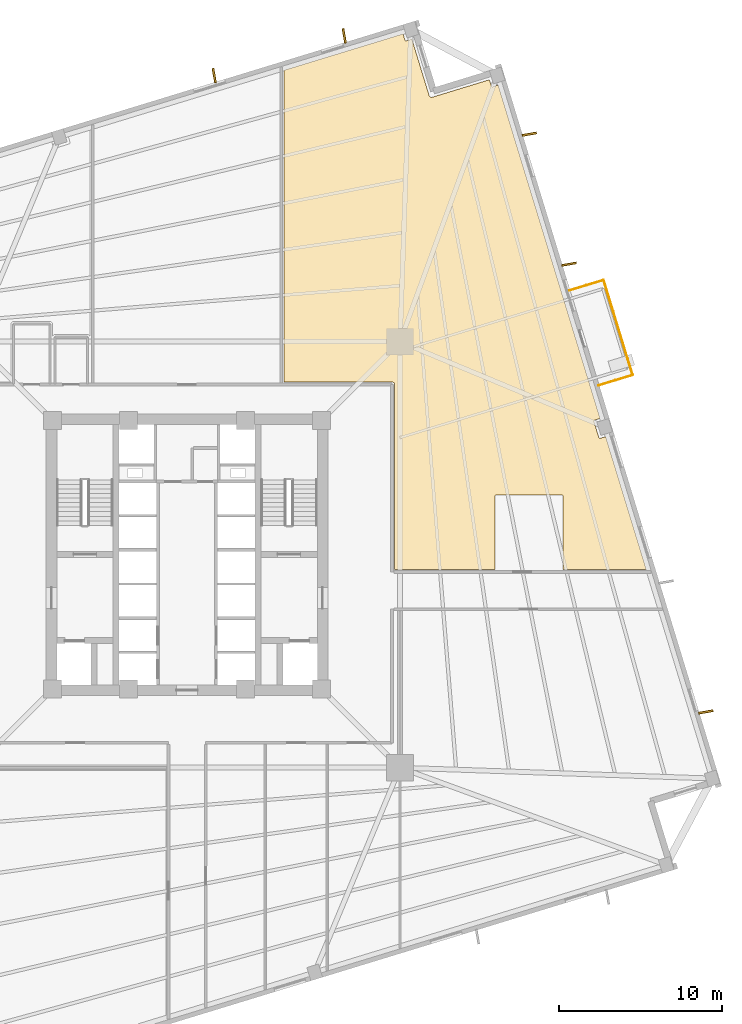
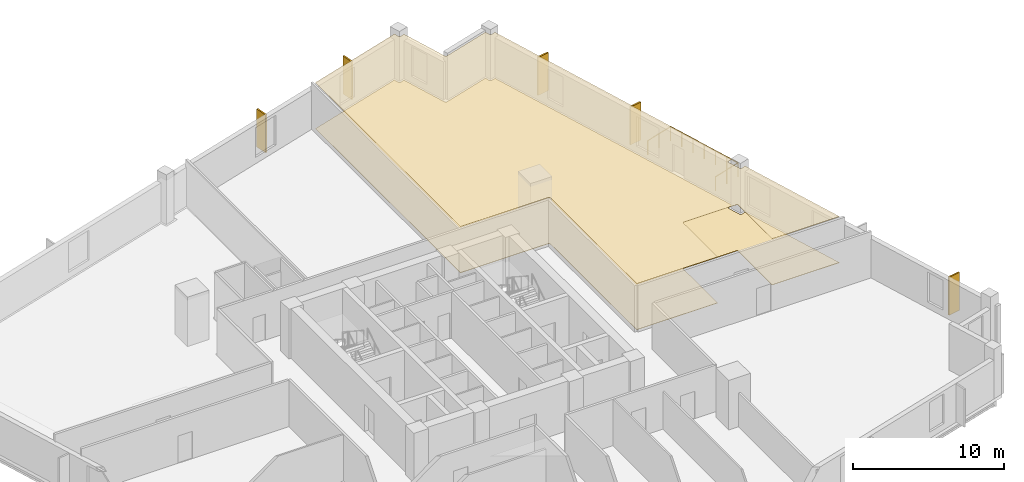
# One storey, part 9 of 9: 7 coverings, 3 railings.
"""IFC4 building model written with IfcOpenShell, lengths in metres."""

from ifc_helpers import new_model, si_unit, direction, frame, origin, origin_2d, place, context, subcontext, project, spatial, polyline, rectangle, circle, outline, extrude, source, transform, mapped, material, layer, layer_set, type_object, element, save


model = new_model("IFC4")

# Units and contexts
model_context = context("Model", 3, precision=1e-05, world=origin(), true_north=direction((0.0, 1.0)))
body_context = subcontext(model_context, "Body", "Model", "MODEL_VIEW")
ifc_project = project(units=[si_unit("LENGTHUNIT", "METRE"), si_unit("AREAUNIT", "SQUARE_METRE"), si_unit("VOLUMEUNIT", "CUBIC_METRE"), si_unit("PLANEANGLEUNIT", "RADIAN"), si_unit("MASSUNIT", "GRAM", prefix="KILO"), si_unit("THERMODYNAMICTEMPERATUREUNIT", "KELVIN")], contexts=[model_context])

# Site, building, storey
site_placement = place(None, origin())
site = spatial("IfcSite", under=ifc_project, at=site_placement, CompositionType="ELEMENT")
building_placement = place(site_placement, origin())
building = spatial("IfcBuilding", under=site, at=building_placement, Name="Kosmvard Interchange Tower", CompositionType="ELEMENT")
storey_placement = place(building_placement, frame((0.0, 0.0, 107.199951171875)))
storey = spatial("IfcBuildingStorey", under=building, at=storey_placement, Name="L25", CompositionType="ELEMENT", Elevation=107.199951171875)

# Coverings
ifc_material_1 = material(Name="Acoustic gypsum ceiling tile")
ifc_layer_1 = layer(ifc_material_1, 0.02490234375, Name="Acoustic gypsum ceiling tile")
ifc_layer_set_1 = layer_set([ifc_layer_1], Name="Acoustic gypsum ceiling tile")
covering_type_1 = type_object("IfcCoveringType", Name="Acoustic Perforated Suspended Ceiling 25", PredefinedType="CEILING", material=ifc_layer_set_1)
covering_1_placement = place(storey_placement, frame((0.0, 0.0, 3.715087890625)))
element("IfcCovering", 1, at=covering_1_placement, inside=storey, type_object=covering_type_1, Name="L25 Acoustic Ceiling L25-LNG2", PredefinedType="CEILING", context=body_context, shape_type="SweptSolid", body=[
    extrude(outline(polyline([(14.99951171875, 28.09130859375), (14.9921875, 28.09228515625), (14.984375, 28.09375), (14.977294921875, 28.095703125), (14.9697265625, 28.097900390625), (14.962646484375, 28.100341796875), (14.95556640625, 28.103271484375), (14.948974609375, 28.1064453125), (14.942138671875, 28.110107421875), (14.935791015625, 28.11376953125), (14.92919921875, 28.1181640625), (14.923095703125, 28.12255859375), (14.9169921875, 28.127685546875), (14.91162109375, 28.132568359375), (14.906005859375, 28.137939453125), (14.901123046875, 28.1435546875), (14.89599609375, 28.149658203125), (14.8916015625, 28.155517578125), (14.887451171875, 28.161865234375), (14.883544921875, 28.168212890625), (14.8798828125, 28.17529296875), (14.876708984375, 28.181884765625), (14.873779296875, 28.18896484375), (14.87109375, 28.196044921875), (14.869873046875, 28.19970703125), (13.8115234375, 31.66162109375), (13.481689453125, 31.560791015625), (13.47412109375, 31.558837890625), (13.46630859375, 31.5576171875), (13.45849609375, 31.55712890625), (13.45068359375, 31.5576171875), (13.44287109375, 31.55859375), (13.43505859375, 31.560546875), (13.427734375, 31.563232421875), (13.420654296875, 31.566650390625), (13.413818359375, 31.570556640625), (13.40771484375, 31.5751953125), (13.40185546875, 31.58056640625), (13.396484375, 31.58642578125), (13.391845703125, 31.592529296875), (13.3876953125, 31.599365234375), (13.38427734375, 31.6064453125), (13.3818359375, 31.61376953125), (13.266357421875, 31.991455078125), (5.9599609375, 29.7578125), (5.9599609375, 10.60498046875), (12.60009765625, 10.60498046875), (12.60400390625, 10.60498046875), (12.611328125, 10.6044921875), (12.619140625, 10.603759765625), (12.62646484375, 10.602783203125), (12.634033203125, 10.60107421875), (12.64111328125, 10.599365234375), (12.648681640625, 10.59716796875), (12.65576171875, 10.5947265625), (12.662841796875, 10.591552734375), (12.669677734375, 10.58837890625), (12.676513671875, 10.584716796875), (12.6826171875, 10.5810546875), (12.689208984375, 10.57666015625), (12.6953125, 10.572265625), (12.701416015625, 10.567138671875), (12.706787109375, 10.562255859375), (12.712158203125, 10.556884765625), (12.71728515625, 10.55126953125), (12.72216796875, 10.545166015625), (12.7265625, 10.539306640625), (12.73095703125, 10.53271484375), (12.73486328125, 10.5263671875), (12.738525390625, 10.51953125), (12.74169921875, 10.512939453125), (12.74462890625, 10.505615234375), (12.7470703125, 10.498779296875), (12.749267578125, 10.4912109375), (12.751220703125, 10.484130859375), (12.752685546875, 10.476318359375), (12.753662109375, 10.468994140625), (12.754638671875, 10.461181640625), (12.7548828125, 10.453857421875), (12.7548828125, 10.449951171875), (12.7548828125, -0.89501953125), (18.919921875, -0.89501953125), (18.919921875, 3.60009765625), (18.92041015625, 3.60791015625), (18.921630859375, 3.61572265625), (18.92333984375, 3.623291015625), (18.926025390625, 3.630615234375), (18.929443359375, 3.6376953125), (18.93359375, 3.64453125), (18.938232421875, 3.650634765625), (18.943359375, 3.656494140625), (18.94921875, 3.661865234375), (18.95556640625, 3.66650390625), (18.96240234375, 3.670654296875), (18.969482421875, 3.673828125), (18.976806640625, 3.676513671875), (18.984375, 3.678466796875), (18.9921875, 3.6796875), (19.0, 3.679931640625), (23.0, 3.679931640625), (23.0078125, 3.6796875), (23.015625, 3.678466796875), (23.023193359375, 3.676513671875), (23.030517578125, 3.673828125), (23.03759765625, 3.670654296875), (23.04443359375, 3.66650390625), (23.05078125, 3.661865234375), (23.056640625, 3.656494140625), (23.061767578125, 3.650634765625), (23.06640625, 3.64453125), (23.070556640625, 3.6376953125), (23.073974609375, 3.630615234375), (23.07666015625, 3.623291015625), (23.078369140625, 3.61572265625), (23.07958984375, 3.60791015625), (23.080078125, 3.60009765625), (23.080078125, -0.89501953125), (28.209228515625, -0.89501953125), (25.71875, 7.251220703125), (25.388671875, 7.150390625), (25.381103515625, 7.1484375), (25.37353515625, 7.147216796875), (25.365478515625, 7.14697265625), (25.357666015625, 7.147216796875), (25.349853515625, 7.1484375), (25.34228515625, 7.150390625), (25.3349609375, 7.15283203125), (25.327880859375, 7.15625), (25.321044921875, 7.160400390625), (25.314697265625, 7.1650390625), (25.30908203125, 7.170166015625), (25.3037109375, 7.176025390625), (25.299072265625, 7.182373046875), (25.294921875, 7.18896484375), (25.29150390625, 7.196044921875), (25.288818359375, 7.20361328125), (24.99365234375, 8.16943359375), (24.99169921875, 8.177001953125), (24.990478515625, 8.184814453125), (24.989990234375, 8.192626953125), (24.990478515625, 8.200439453125), (24.99169921875, 8.208251953125), (24.993408203125, 8.2158203125), (24.99609375, 8.22314453125), (24.99951171875, 8.230224609375), (25.00341796875, 8.237060546875), (25.008056640625, 8.243408203125), (25.013427734375, 8.249267578125), (25.019287109375, 8.25439453125), (25.025634765625, 8.25927734375), (25.0322265625, 8.26318359375), (25.039306640625, 8.2666015625), (25.046630859375, 8.269287109375), (25.376708984375, 8.3701171875), (19.118408203125, 28.83984375), (18.78857421875, 28.739013671875), (18.781005859375, 28.737060546875), (18.773193359375, 28.73583984375), (18.765380859375, 28.735595703125), (18.757568359375, 28.73583984375), (18.749755859375, 28.737060546875), (18.741943359375, 28.73876953125), (18.734619140625, 28.741455078125), (18.7275390625, 28.744873046875), (18.720703125, 28.748779296875), (18.714599609375, 28.75341796875), (18.708740234375, 28.7587890625), (18.703369140625, 28.7646484375), (18.69873046875, 28.77099609375), (18.694580078125, 28.777587890625), (18.691162109375, 28.78466796875), (18.688720703125, 28.7919921875), (18.572998046875, 29.169921875), (15.0634765625, 28.096923828125), (15.0595703125, 28.095703125), (15.052490234375, 28.093994140625), (15.044921875, 28.092529296875), (15.03759765625, 28.09130859375), (15.02978515625, 28.090576171875), (15.0224609375, 28.090087890625), (15.014404296875, 28.090087890625), (15.007080078125, 28.090576171875), (14.99951171875, 28.09130859375)])), origin(), (0.0, 0.0, 1.0), 0.02490234375),
])
ifc_material_2 = material(Name="Polished terrazzo flooring")
ifc_layer_2 = layer(ifc_material_2, 0.030029296875, Name="Polished terrazzo flooring")
ifc_layer_set_2 = layer_set([ifc_layer_2], Name="Polished terrazzo flooring")
covering_type_2 = type_object("IfcCoveringType", Name="Heavy-Duty Terrazzo & Porcelain Flooring 30", PredefinedType="FLOORING", material=ifc_layer_set_2)
covering_2_placement = place(storey_placement, origin())
element("IfcCovering", 2, at=covering_2_placement, inside=storey, type_object=covering_type_2, Name="L25 Floor Finish L25-LNG2", PredefinedType="FLOORING", context=body_context, shape_type="SweptSolid", body=[
    extrude(outline(polyline([(14.99951171875, 28.09130859375), (14.9921875, 28.09228515625), (14.984375, 28.09375), (14.977294921875, 28.095703125), (14.9697265625, 28.097900390625), (14.962646484375, 28.100341796875), (14.95556640625, 28.103271484375), (14.948974609375, 28.1064453125), (14.942138671875, 28.110107421875), (14.935791015625, 28.11376953125), (14.92919921875, 28.1181640625), (14.923095703125, 28.12255859375), (14.9169921875, 28.127685546875), (14.91162109375, 28.132568359375), (14.906005859375, 28.137939453125), (14.901123046875, 28.1435546875), (14.89599609375, 28.149658203125), (14.8916015625, 28.155517578125), (14.887451171875, 28.161865234375), (14.883544921875, 28.168212890625), (14.8798828125, 28.17529296875), (14.876708984375, 28.181884765625), (14.873779296875, 28.18896484375), (14.87109375, 28.196044921875), (14.869873046875, 28.19970703125), (13.8115234375, 31.66162109375), (13.481689453125, 31.560791015625), (13.47412109375, 31.558837890625), (13.46630859375, 31.5576171875), (13.45849609375, 31.55712890625), (13.45068359375, 31.5576171875), (13.44287109375, 31.55859375), (13.43505859375, 31.560546875), (13.427734375, 31.563232421875), (13.420654296875, 31.566650390625), (13.413818359375, 31.570556640625), (13.40771484375, 31.5751953125), (13.40185546875, 31.58056640625), (13.396484375, 31.58642578125), (13.391845703125, 31.592529296875), (13.3876953125, 31.599365234375), (13.38427734375, 31.6064453125), (13.3818359375, 31.61376953125), (13.266357421875, 31.991455078125), (5.9599609375, 29.7578125), (5.9599609375, 10.60498046875), (12.60009765625, 10.60498046875), (12.60400390625, 10.60498046875), (12.611328125, 10.6044921875), (12.619140625, 10.603759765625), (12.62646484375, 10.602783203125), (12.634033203125, 10.60107421875), (12.64111328125, 10.599365234375), (12.648681640625, 10.59716796875), (12.65576171875, 10.5947265625), (12.662841796875, 10.591552734375), (12.669677734375, 10.58837890625), (12.676513671875, 10.584716796875), (12.6826171875, 10.5810546875), (12.689208984375, 10.57666015625), (12.6953125, 10.572265625), (12.701416015625, 10.567138671875), (12.706787109375, 10.562255859375), (12.712158203125, 10.556884765625), (12.71728515625, 10.55126953125), (12.72216796875, 10.545166015625), (12.7265625, 10.539306640625), (12.73095703125, 10.53271484375), (12.73486328125, 10.5263671875), (12.738525390625, 10.51953125), (12.74169921875, 10.512939453125), (12.74462890625, 10.505615234375), (12.7470703125, 10.498779296875), (12.749267578125, 10.4912109375), (12.751220703125, 10.484130859375), (12.752685546875, 10.476318359375), (12.753662109375, 10.468994140625), (12.754638671875, 10.461181640625), (12.7548828125, 10.453857421875), (12.7548828125, 10.449951171875), (12.7548828125, -0.89501953125), (18.919921875, -0.89501953125), (18.919921875, 3.60009765625), (18.92041015625, 3.60791015625), (18.921630859375, 3.61572265625), (18.92333984375, 3.623291015625), (18.926025390625, 3.630615234375), (18.929443359375, 3.6376953125), (18.93359375, 3.64453125), (18.938232421875, 3.650634765625), (18.943359375, 3.656494140625), (18.94921875, 3.661865234375), (18.95556640625, 3.66650390625), (18.96240234375, 3.670654296875), (18.969482421875, 3.673828125), (18.976806640625, 3.676513671875), (18.984375, 3.678466796875), (18.9921875, 3.6796875), (19.0, 3.679931640625), (23.0, 3.679931640625), (23.0078125, 3.6796875), (23.015625, 3.678466796875), (23.023193359375, 3.676513671875), (23.030517578125, 3.673828125), (23.03759765625, 3.670654296875), (23.04443359375, 3.66650390625), (23.05078125, 3.661865234375), (23.056640625, 3.656494140625), (23.061767578125, 3.650634765625), (23.06640625, 3.64453125), (23.070556640625, 3.6376953125), (23.073974609375, 3.630615234375), (23.07666015625, 3.623291015625), (23.078369140625, 3.61572265625), (23.07958984375, 3.60791015625), (23.080078125, 3.60009765625), (23.080078125, -0.89501953125), (28.209228515625, -0.89501953125), (25.71875, 7.251220703125), (25.388671875, 7.150390625), (25.381103515625, 7.1484375), (25.37353515625, 7.147216796875), (25.365478515625, 7.14697265625), (25.357666015625, 7.147216796875), (25.349853515625, 7.1484375), (25.34228515625, 7.150390625), (25.3349609375, 7.15283203125), (25.327880859375, 7.15625), (25.321044921875, 7.160400390625), (25.314697265625, 7.1650390625), (25.30908203125, 7.170166015625), (25.3037109375, 7.176025390625), (25.299072265625, 7.182373046875), (25.294921875, 7.18896484375), (25.29150390625, 7.196044921875), (25.288818359375, 7.20361328125), (24.99365234375, 8.16943359375), (24.99169921875, 8.177001953125), (24.990478515625, 8.184814453125), (24.989990234375, 8.192626953125), (24.990478515625, 8.200439453125), (24.99169921875, 8.208251953125), (24.993408203125, 8.2158203125), (24.99609375, 8.22314453125), (24.99951171875, 8.230224609375), (25.00341796875, 8.237060546875), (25.008056640625, 8.243408203125), (25.013427734375, 8.249267578125), (25.019287109375, 8.25439453125), (25.025634765625, 8.25927734375), (25.0322265625, 8.26318359375), (25.039306640625, 8.2666015625), (25.046630859375, 8.269287109375), (25.376708984375, 8.3701171875), (19.118408203125, 28.83984375), (18.78857421875, 28.739013671875), (18.781005859375, 28.737060546875), (18.773193359375, 28.73583984375), (18.765380859375, 28.735595703125), (18.757568359375, 28.73583984375), (18.749755859375, 28.737060546875), (18.741943359375, 28.73876953125), (18.734619140625, 28.741455078125), (18.7275390625, 28.744873046875), (18.720703125, 28.748779296875), (18.714599609375, 28.75341796875), (18.708740234375, 28.7587890625), (18.703369140625, 28.7646484375), (18.69873046875, 28.77099609375), (18.694580078125, 28.777587890625), (18.691162109375, 28.78466796875), (18.688720703125, 28.7919921875), (18.572998046875, 29.169921875), (15.0634765625, 28.096923828125), (15.0595703125, 28.095703125), (15.052490234375, 28.093994140625), (15.044921875, 28.092529296875), (15.03759765625, 28.09130859375), (15.02978515625, 28.090576171875), (15.0224609375, 28.090087890625), (15.014404296875, 28.090087890625), (15.007080078125, 28.090576171875), (14.99951171875, 28.09130859375)])), origin(), (0.0, 0.0, 1.0), 0.030029296875),
])
ifc_material_3 = material(Name="Architectural anodised aluminium", Category="aluminium")
ifc_layer_3 = layer(ifc_material_3, 0.1201171875, Name="Architectural anodised aluminium")
ifc_layer_set_3 = layer_set([ifc_layer_3], Name="Architectural anodised aluminium")
covering_type_3 = type_object("IfcCoveringType", Name="Rotating Vertical Sun-Breaker Fin 900x120 Aluminium", PredefinedType="CLADDING", material=ifc_layer_set_3)
shared_shape_1 = source(origin(), body_context, "Body", "SweptSolid", [
    extrude(rectangle(XDim=0.89990234375, YDim=0.1201171875, at=origin_2d()), origin(), (0.0, 0.0, 1.0), 3.06005859375),
])
for number, where, z_axis, x_axis, name in (
    (3, (31.865966796875, -9.6572265625, 0.0400390625), (0.0, 0.0, 1.0), (0.984777430688, 0.173820056399, 0.0), "L25 Rotating Vertical Sun-Breaker Fin 05"),
    (4, (23.45849609375, 17.841796875, 0.0400390625), (0.0, 0.0, 1.0), (0.984777430688, 0.173820056399, 0.0), "L25 Rotating Vertical Sun-Breaker Fin 07"),
    (5, (21.017822265625, 25.825439453125, 0.0400390625), (0.0, 0.0, 1.0), (0.984777430688, 0.173820056399, 0.0), "L25 Rotating Vertical Sun-Breaker Fin 08"),
    (6, (9.6572265625, 31.865966796875, 0.0400390625), (0.0, 0.0, 1.0), (-0.173820056399, 0.984777430688, 0.0), "L25 Rotating Vertical Sun-Breaker Fin 09"),
    (7, (1.673583984375, 29.425048828125, 0.0400390625), (0.0, 0.0, 1.0), (-0.173820056399, 0.984777430688, 0.0), "L25 Rotating Vertical Sun-Breaker Fin 10"),
):
    element("IfcCovering", number, at=place(storey_placement, frame(where, z_axis=z_axis, x_axis=x_axis)), inside=storey, type_object=covering_type_3, Name=name, PredefinedType="CLADDING", context=body_context, shape_type="MappedRepresentation", body=[
        mapped(shared_shape_1, transform((0.0, 0.0, 0.0), scale=1.0)),
    ])

# Railings
ifc_material_4 = material(Name="Steel S355", Category="steel")
railing_type = type_object("IfcRailingType", Name="Observation & Balcony Glass-Infill Balustrade 1150", PredefinedType="BALUSTRADE", material=ifc_material_4)
shared_shape_2 = source(origin(), body_context, "Body", "SweptSolid", [
    extrude(circle(Radius=0.02392578125, at=origin_2d()), frame((0.0, 0.0, 1.1259765625), z_axis=(0.956329170869, 0.292291835236, 0.0), x_axis=(-0.292291835236, 0.956329170869, 0.0)), (0.0, 0.0, 1.0), 2.2001953125),
    extrude(circle(Radius=0.02099609375, at=origin_2d()), origin(), (0.0, 0.0, 1.0), 1.101806640625),
    extrude(circle(Radius=0.02099609375, at=origin_2d()), frame((1.052001953125, 0.321533203125, 0.0)), (0.0, 0.0, 1.0), 1.101806640625),
    extrude(circle(Radius=0.02099609375, at=origin_2d()), frame((2.10400390625, 0.64306640625, 0.0)), (0.0, 0.0, 1.0), 1.101806640625),
])
railing_1_placement = place(storey_placement, frame((25.265869140625, 10.39111328125, 0.0)))
element("IfcRailing", 8, at=railing_1_placement, inside=storey, type_object=railing_type, Name="L25 Outdoor Terrace Guard BAL-L25-E-A", PredefinedType="BALUSTRADE", context=body_context, shape_type="MappedRepresentation", body=[
    mapped(shared_shape_2, transform((0.0, 0.0, 0.0), scale=1.0)),
])
shared_shape_3 = source(origin(), body_context, "Body", "SweptSolid", [
    extrude(circle(Radius=0.02392578125, at=origin_2d()), frame((0.0, 0.0, 1.1259765625), z_axis=(-0.292366986664, 0.956306198406, 0.0), x_axis=(-0.956306198406, -0.292366986664, 0.0)), (0.0, 0.0, 1.0), 6.10009765625),
    extrude(circle(Radius=0.02099609375, at=origin_2d()), origin(), (0.0, 0.0, 1.0), 1.101806640625),
    extrude(circle(Radius=0.02099609375, at=origin_2d()), frame((-0.29736328125, 0.97216796875, 0.0)), (0.0, 0.0, 1.0), 1.101806640625),
    extrude(circle(Radius=0.02099609375, at=origin_2d()), frame((-0.594482421875, 1.944580078125, 0.0)), (0.0, 0.0, 1.0), 1.101806640625),
    extrude(circle(Radius=0.02099609375, at=origin_2d()), frame((-0.8916015625, 2.916748046875, 0.0)), (0.0, 0.0, 1.0), 1.101806640625),
    extrude(circle(Radius=0.02099609375, at=origin_2d()), frame((-1.18896484375, 3.888916015625, 0.0)), (0.0, 0.0, 1.0), 1.101806640625),
    extrude(circle(Radius=0.02099609375, at=origin_2d()), frame((-1.486328125, 4.861328125, 0.0)), (0.0, 0.0, 1.0), 1.101806640625),
    extrude(circle(Radius=0.02099609375, at=origin_2d()), frame((-1.783447265625, 5.83349609375, 0.0)), (0.0, 0.0, 1.0), 1.101806640625),
])
railing_2_placement = place(storey_placement, frame((27.369873046875, 11.0341796875, 0.0)))
element("IfcRailing", 9, at=railing_2_placement, inside=storey, type_object=railing_type, Name="L25 Outdoor Terrace Guard BAL-L25-E-B", PredefinedType="BALUSTRADE", context=body_context, shape_type="MappedRepresentation", body=[
    mapped(shared_shape_3, transform((0.0, 0.0, 0.0), scale=1.0)),
])
shared_shape_4 = source(origin(), body_context, "Body", "SweptSolid", [
    extrude(circle(Radius=0.02392578125, at=origin_2d()), frame((0.0, 0.0, 1.1259765625), z_axis=(-0.956329170869, -0.292291835236, 0.0), x_axis=(0.292291835236, -0.956329170869, 0.0)), (0.0, 0.0, 1.0), 2.2001953125),
    extrude(circle(Radius=0.02099609375, at=origin_2d()), origin(), (0.0, 0.0, 1.0), 1.101806640625),
    extrude(circle(Radius=0.02099609375, at=origin_2d()), frame((-1.052001953125, -0.321533203125, 0.0)), (0.0, 0.0, 1.0), 1.101806640625),
    extrude(circle(Radius=0.02099609375, at=origin_2d()), frame((-2.10400390625, -0.64306640625, 0.0)), (0.0, 0.0, 1.0), 1.101806640625),
])
railing_3_placement = place(storey_placement, frame((25.58642578125, 16.86767578125, 0.0)))
element("IfcRailing", 10, at=railing_3_placement, inside=storey, type_object=railing_type, Name="L25 Outdoor Terrace Guard BAL-L25-E-C", PredefinedType="BALUSTRADE", context=body_context, shape_type="MappedRepresentation", body=[
    mapped(shared_shape_4, transform((0.0, 0.0, 0.0), scale=1.0)),
])

save(model, "model.ifc")
